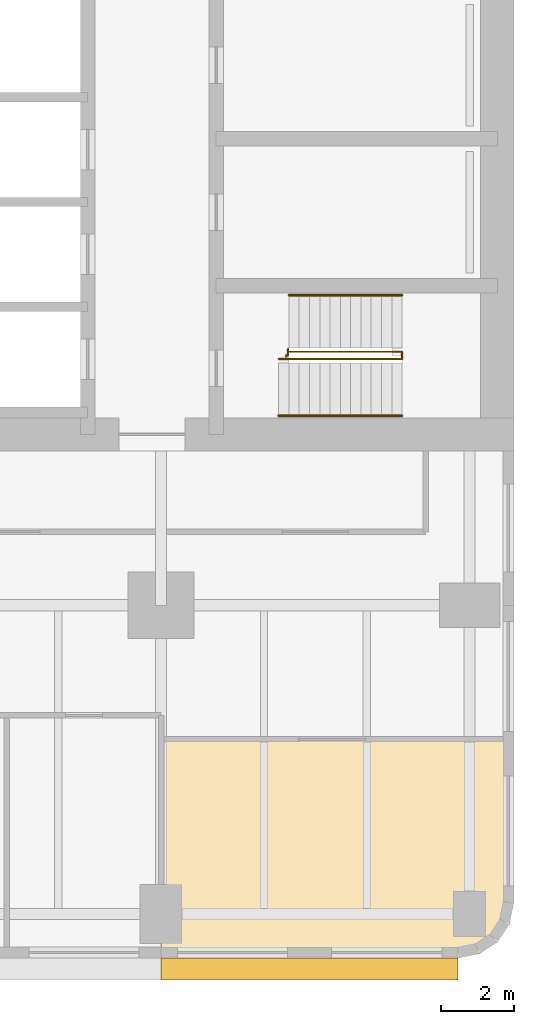
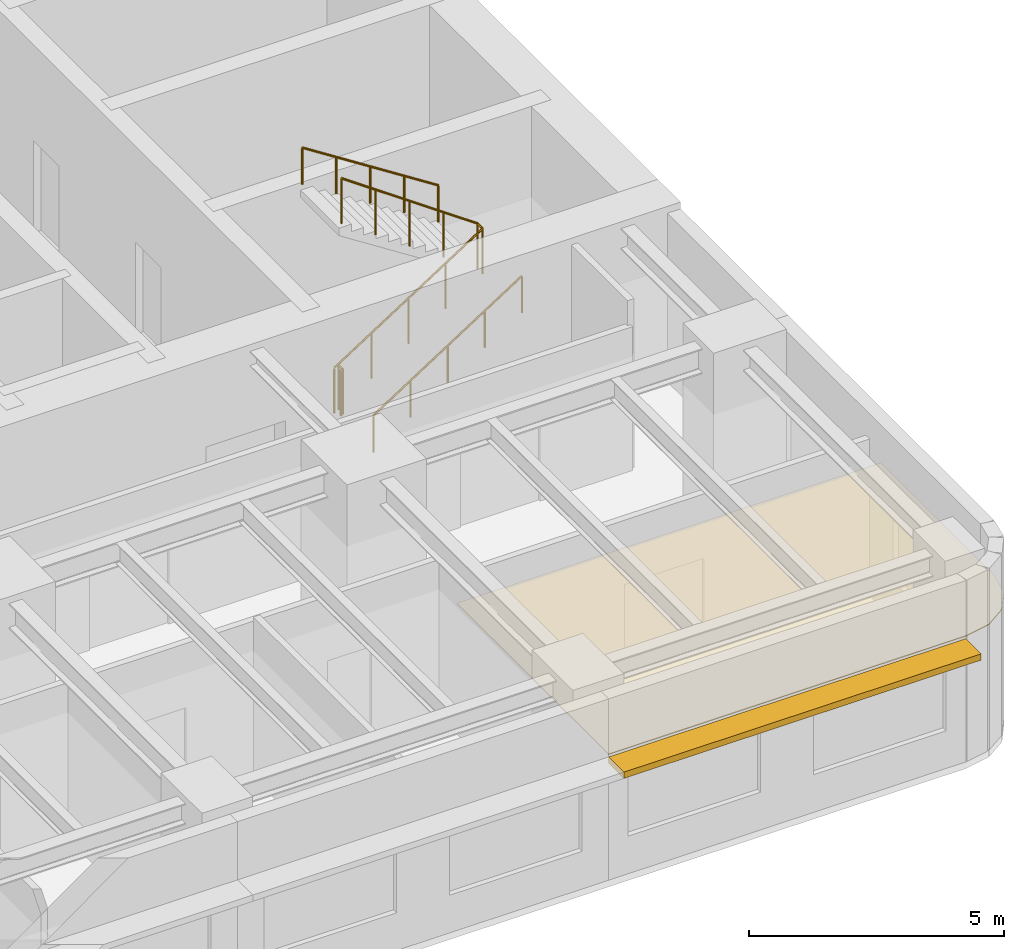
# One storey, part 11 of 14: 4 railings, 1 covering, 1 shading device.
"""IFC4 building model written with IfcOpenShell, lengths in metres."""

import ifcopenshell
import ifcopenshell.guid

model = None  # the IFC model being written
_history = None  # IfcOwnerHistory: only IFC2X3 demands one
_inside = {}  # id of a spatial element -> (the spatial element, [elements in it])
_under = {}  # id of a project, library or spatial element -> (it, [spatial elements below it])
_declared = {}  # id of a project -> (the project, [libraries it declares])
_typed = {}  # id of a type object -> (the type object, [elements of that type])
_made_of = {}  # id of a material, layer set ... -> (it, [elements and type objects made of it])


def new_model(schema):
    """Start an empty IFC model of exactly this schema.

    Asked for "IFC4X3", IfcOpenShell would pick the latest addendum, in which some entities
    have other attributes; the version numbers below select the first issue.
    IFC2X3 requires an IfcOwnerHistory on every rooted entity: one is made here for all.
    """
    global model, _history
    if schema == "IFC4X3":
        model = ifcopenshell.file(schema_version=(4, 3, 0, 0))
    else:
        model = ifcopenshell.file(schema=schema)
    _inside.clear()
    _under.clear()
    _declared.clear()
    _typed.clear()
    _made_of.clear()
    _history = None
    if model.schema == "IFC2X3":
        org = make("IfcOrganization", Name="unknown")
        user = make(
            "IfcPersonAndOrganization",
            ThePerson=make("IfcPerson", FamilyName="unknown"),
            TheOrganization=org,
        )
        app = make(
            "IfcApplication",
            ApplicationDeveloper=org,
            Version="unknown",
            ApplicationFullName="unknown",
            ApplicationIdentifier="unknown",
        )
        _history = make(
            "IfcOwnerHistory",
            OwningUser=user,
            OwningApplication=app,
            ChangeAction="ADDED",
            CreationDate=0,
        )
    return model


def make(cls, **values):
    """One entity of the class cls with the attributes given. An attribute that is None is left unset."""
    return model.create_entity(
        cls, **{name: value for name, value in values.items() if value is not None}
    )


def rooted(cls, **values):
    """An entity with a GlobalId (a new one), such as an element, a storey or a relation."""
    return make(cls, GlobalId=ifcopenshell.guid.new(), OwnerHistory=_history, **values)


def si_unit(unit_type, name, prefix=None):
    """IfcSIUnit, for example si_unit("LENGTHUNIT", "METRE", prefix="MILLI")."""
    return make("IfcSIUnit", UnitType=unit_type, Prefix=prefix, Name=name)


def assignment(units):
    """IfcUnitAssignment: the units of a project."""
    return None if units is None else make("IfcUnitAssignment", Units=units)


def point(xyz):
    """IfcCartesianPoint."""
    return None if xyz is None else make("IfcCartesianPoint", Coordinates=xyz)


def direction(xyz):
    """IfcDirection."""
    return None if xyz is None else make("IfcDirection", DirectionRatios=xyz)


def frame(location, z_axis=None, x_axis=None):
    """IfcAxis2Placement3D, a coordinate frame: its origin and axes. An axis left out is left unset."""
    return make(
        "IfcAxis2Placement3D",
        Location=point(location),
        Axis=direction(z_axis),
        RefDirection=direction(x_axis),
    )


def frame_2d(location, x_axis=None):
    """IfcAxis2Placement2D, a coordinate frame in the plane: its origin and x axis."""
    return make(
        "IfcAxis2Placement2D", Location=point(location), RefDirection=direction(x_axis)
    )


def origin():
    """The frame at (0, 0, 0) with its axes left unset."""
    return frame((0.0, 0.0, 0.0))


def origin_2d():
    """The frame at (0, 0) in the plane with its x axis left unset."""
    return frame_2d((0.0, 0.0))


def place(relative_to, where):
    """IfcLocalPlacement: puts the frame where relative to a parent placement (None: the world)."""
    return make(
        "IfcLocalPlacement", PlacementRelTo=relative_to, RelativePlacement=where
    )


def context(
    kind, dimensions, precision=None, world=None, true_north=None, identifier=None
):
    """IfcGeometricRepresentationContext, for example the 3D "Model" context."""
    return make(
        "IfcGeometricRepresentationContext",
        ContextIdentifier=identifier,
        ContextType=kind,
        CoordinateSpaceDimension=dimensions,
        Precision=precision,
        WorldCoordinateSystem=world,
        TrueNorth=true_north,
    )


def subcontext(parent, identifier, kind, view, scale=None):
    """IfcGeometricRepresentationSubContext, for example "Body" below "Model"."""
    return make(
        "IfcGeometricRepresentationSubContext",
        ContextIdentifier=identifier,
        ContextType=kind,
        ParentContext=parent,
        TargetScale=scale,
        TargetView=view,
    )


def project(units=None, contexts=None):
    """IfcProject with its units and contexts."""
    return rooted(
        "IfcProject",
        Name="project",
        RepresentationContexts=contexts,
        UnitsInContext=assignment(units),
    )


def spatial(cls, under=None, at=None, **own):
    """A site, building, storey or space (cls), placed at a placement, below another one or the project."""
    s = rooted(cls, ObjectPlacement=at, **own)
    if under is not None:
        _under.setdefault(under.id(), (under, []))[1].append(s)
    return s


def polyline(points):
    """IfcPolyline through the points."""
    return make("IfcPolyline", Points=[point(p) for p in points])


def profile(cls, at=None, kind="AREA", **sizes):
    """A parametric profile (cls). Its sizes go by their IFC names, for example OverallWidth=200.0."""
    return make(cls, ProfileType=kind, Position=at, **sizes)


def rectangle(**sizes):
    """IfcRectangleProfileDef."""
    return profile("IfcRectangleProfileDef", **sizes)


def circle(**sizes):
    """IfcCircleProfileDef."""
    return profile("IfcCircleProfileDef", **sizes)


def outline(outer, holes=None, kind="AREA"):
    """IfcArbitraryClosedProfileDef: a profile drawn as a closed curve; with holes, ...WithVoids."""
    if holes is None:
        return make("IfcArbitraryClosedProfileDef", ProfileType=kind, OuterCurve=outer)
    return make(
        "IfcArbitraryProfileDefWithVoids",
        ProfileType=kind,
        OuterCurve=outer,
        InnerCurves=holes,
    )


def extrude(swept, where, along, depth):
    """IfcExtrudedAreaSolid: the profile swept, set in the frame where, extruded along a direction by depth."""
    return make(
        "IfcExtrudedAreaSolid",
        SweptArea=swept,
        Position=where,
        ExtrudedDirection=direction(along),
        Depth=depth,
    )


def shape(context_of_items, identifier, shape_type, items):
    """IfcShapeRepresentation: the items that make up one representation, for example the "Body"."""
    return make(
        "IfcShapeRepresentation",
        ContextOfItems=context_of_items,
        RepresentationIdentifier=identifier,
        RepresentationType=shape_type,
        Items=items,
    )


def material(Name=None, Category=None):
    """IfcMaterial."""
    return make("IfcMaterial", Name=Name, Category=Category)


def layer(
    of_material, thickness, ventilated=None, Name=None, Category=None, Priority=None
):
    """IfcMaterialLayer: one layer of a wall or slab, of a material (None: an air gap)."""
    return make(
        "IfcMaterialLayer",
        Material=of_material,
        LayerThickness=thickness,
        IsVentilated=ventilated,
        Name=Name,
        Category=Category,
        Priority=Priority,
    )


def layer_set(layers, Name=None):
    """IfcMaterialLayerSet."""
    return make("IfcMaterialLayerSet", MaterialLayers=layers, LayerSetName=Name)


def made_of(thing, what):
    """Note that an element or type object is made of a material, layer set ...; save() writes the relation."""
    if what is not None:
        _made_of.setdefault(what.id(), (what, []))[1].append(thing)
    return thing


def type_object(cls, material=None, **own):
    """A type object (cls), such as IfcWallType, which elements share."""
    return made_of(rooted(cls, **own), material)


def element(
    cls,
    number,
    at=None,
    inside=None,
    cuts=None,
    type_object=None,
    material=None,
    context=None,
    identifier="Body",
    shape_type=None,
    held_by="IfcProductDefinitionShape",
    body=None,
    shapes=None,
    **own,
):
    """One element of the class cls, such as IfcWall. Its Tag is "e" and its number.

    at: its placement. inside: the storey or other place that contains it. cuts: it is an
    opening in that element (IfcRelVoidsElement). A single representation is given by context,
    identifier, shape_type and body (its items); several are given by shapes. held_by: the class
    of the entity that holds the representations. save() writes the other relations.
    """
    e = rooted(cls, Tag="e%d" % number, ObjectPlacement=at, **own)
    if body is not None:
        shapes = [shape(context, identifier, shape_type, body)]
    if shapes is not None:
        e.Representation = make(held_by, Representations=shapes)
    if inside is not None:
        _inside.setdefault(inside.id(), (inside, []))[1].append(e)
    if cuts is not None:
        rooted(
            "IfcRelVoidsElement", RelatingBuildingElement=cuts, RelatedOpeningElement=e
        )
    if type_object is not None:
        _typed.setdefault(type_object.id(), (type_object, []))[1].append(e)
    return made_of(e, material)


def aggregate(whole, parts):
    """IfcRelAggregates: a whole, such as a stair, and the parts it consists of."""
    return rooted("IfcRelAggregates", RelatingObject=whole, RelatedObjects=parts)


def save(model, path):
    """Write the relations noted so far, then the file.

    IfcRelAggregates (storeys below a building ...), IfcRelContainedInSpatialStructure (elements
    in a storey), IfcRelDefinesByType, IfcRelAssociatesMaterial and IfcRelDeclares: one each for
    every whole, place, type object, material and project.
    """
    for whole, parts in _under.values():
        aggregate(whole, parts)
    for where, things in _inside.values():
        rooted(
            "IfcRelContainedInSpatialStructure",
            RelatedElements=things,
            RelatingStructure=where,
        )
    for kind, things in _typed.values():
        rooted("IfcRelDefinesByType", RelatedObjects=things, RelatingType=kind)
    for what, things in _made_of.values():
        rooted("IfcRelAssociatesMaterial", RelatedObjects=things, RelatingMaterial=what)
    for by, libraries in _declared.values():
        rooted("IfcRelDeclares", RelatingContext=by, RelatedDefinitions=libraries)
    model.write(path)


model = new_model("IFC4")

# Units and contexts
model_context = context("Model", 3, precision=1e-05, world=origin(), true_north=direction((0.0, 1.0)))
body_context = subcontext(model_context, "Body", "Model", "MODEL_VIEW")
ifc_project = project(units=[si_unit("LENGTHUNIT", "METRE"), si_unit("AREAUNIT", "SQUARE_METRE"), si_unit("VOLUMEUNIT", "CUBIC_METRE"), si_unit("PLANEANGLEUNIT", "RADIAN"), si_unit("MASSUNIT", "GRAM", prefix="KILO")], contexts=[model_context])

# Site, building, storey
site_placement = place(None, origin())
site = spatial("IfcSite", under=ifc_project, at=site_placement, CompositionType="ELEMENT")
building_placement = place(site_placement, origin())
building = spatial("IfcBuilding", under=site, at=building_placement, Name="Claustro Exchange Tower", CompositionType="ELEMENT")
storey_placement = place(building_placement, frame((0.0, 0.0, 32.39990234375)))
storey = spatial("IfcBuildingStorey", under=building, at=storey_placement, Name="L07", CompositionType="ELEMENT", Elevation=32.39990234375)

# Covering
ifc_material_1 = material(Name="Gypsum board ceiling", Category="gypsum board")
ifc_layer_1 = layer(ifc_material_1, 0.02490234375)
ifc_layer_set_1 = layer_set([ifc_layer_1], Name="Gypsum board ceiling")
covering_type = type_object("IfcCoveringType", Name="CL2 plasterboard ceiling", PredefinedType="CEILING", material=ifc_layer_set_1)
covering_placement = place(storey_placement, frame((0.0, 0.0, 3.0)))
element("IfcCovering", 1, at=covering_placement, inside=storey, type_object=covering_type, Name="Ceiling CL2 L07-02", PredefinedType="CEILING", context=body_context, shape_type="SweptSolid", body=[
    extrude(outline(polyline([(51.60009765625, 0.300048828125), (51.60009765625, 4.75), (42.0, 4.75), (42.0, -1.199951171875), (50.10009765625, -1.199951171875), (50.674072265625, -1.085693359375), (51.16064453125, -0.7607421875), (51.48583984375, -0.27392578125), (51.60009765625, 0.300048828125)])), origin(), (0.0, 0.0, 1.0), 0.025146484375),
])

# Railings
ifc_material_2 = material(Name="Steel balustrade, painted", Category="steel")
railing_type_1 = type_object("IfcRailingType", Name="GR2 1100 steel stair guard", PredefinedType="GUARDRAIL", material=ifc_material_2)
railing_1_placement = place(storey_placement, frame((45.199951171875, 15.10009765625, 0.18017578125)))
element("IfcRailing", 2, at=railing_1_placement, inside=storey, type_object=railing_type_1, Name="Stair well guard GR2 stair STEA L07", PredefinedType="GUARDRAIL", context=body_context, shape_type="SweptSolid", body=[
    extrude(circle(Radius=0.02392578125, at=origin_2d()), frame((0.0, 0.0, 1.076171875), z_axis=(0.84119634759, 0.0, 0.540729789082), x_axis=(0.0, 1.0, 0.0)), (0.0, 0.0, 1.0), 3.994384765625),
    extrude(circle(Radius=0.02392578125, at=origin_2d()), frame((3.360107421875, 0.0, 3.23583984375), z_axis=(0.0, 1.0, 0.0), x_axis=(-1.0, 0.0, 0.0)), (0.0, 0.0, 1.0), 0.199951171875),
    extrude(circle(Radius=0.02392578125, at=origin_2d()), frame((3.360107421875, 0.199951171875, 3.23583984375), z_axis=(-0.8187499073, 0.0, 0.574150319426), x_axis=(0.0, -1.0, 0.0)), (0.0, 0.0, 1.0), 3.761962890625),
    extrude(circle(Radius=0.02099609375, at=origin_2d()), origin(), (0.0, 0.0, 1.0), 1.052001953125),
    extrude(circle(Radius=0.02099609375, at=origin_2d()), frame((0.840087890625, 0.0, 0.5400390625)), (0.0, 0.0, 1.0), 1.052001953125),
    extrude(circle(Radius=0.02099609375, at=origin_2d()), frame((1.68017578125, 0.0, 1.080078125)), (0.0, 0.0, 1.0), 1.052001953125),
    extrude(circle(Radius=0.02099609375, at=origin_2d()), frame((2.52001953125, 0.0, 1.619873046875)), (0.0, 0.0, 1.0), 1.052001953125),
    extrude(circle(Radius=0.02099609375, at=origin_2d()), frame((3.360107421875, 0.0, 2.159912109375)), (0.0, 0.0, 1.0), 1.052001953125),
    extrude(circle(Radius=0.02099609375, at=origin_2d()), frame((3.360107421875, 0.199951171875, 2.159912109375)), (0.0, 0.0, 1.0), 1.052001953125),
    extrude(circle(Radius=0.02099609375, at=origin_2d()), frame((2.590087890625, 0.199951171875, 2.699951171875)), (0.0, 0.0, 1.0), 1.052001953125),
    extrude(circle(Radius=0.02099609375, at=origin_2d()), frame((1.820068359375, 0.199951171875, 3.23974609375)), (0.0, 0.0, 1.0), 1.052001953125),
    extrude(circle(Radius=0.02099609375, at=origin_2d()), frame((1.050048828125, 0.199951171875, 3.77978515625)), (0.0, 0.0, 1.0), 1.052001953125),
    extrude(circle(Radius=0.02099609375, at=origin_2d()), frame((0.280029296875, 0.199951171875, 4.31982421875)), (0.0, 0.0, 1.0), 1.052001953125),
])
railing_2_placement = place(storey_placement, frame((45.39990234375, 15.169921875, 0.0)))
element("IfcRailing", 3, at=railing_2_placement, inside=storey, type_object=railing_type_1, Name="Stair guard GR2 STEA L07", PredefinedType="GUARDRAIL", context=body_context, shape_type="SweptSolid", body=[
    extrude(circle(Radius=0.02392578125, at=origin_2d()), frame((0.0, 0.0, 1.076171875), z_axis=(0.0, 1.0, 0.0), x_axis=(-1.0, 0.0, 0.0)), (0.0, 0.0, 1.0), 0.030029296875),
    extrude(circle(Radius=0.02392578125, at=origin_2d()), frame((0.0, 0.030029296875, 1.076171875), z_axis=(1.0, 0.0, 0.0), x_axis=(0.0, 1.0, 0.0)), (0.0, 0.0, 1.0), 0.05517578125),
    extrude(circle(Radius=0.02392578125, at=origin_2d()), frame((0.05517578125, 0.030029296875, 1.076171875), z_axis=(0.0, 1.0, 0.0), x_axis=(-1.0, 0.0, 0.0)), (0.0, 0.0, 1.0), 0.179931640625),
    extrude(circle(Radius=0.02099609375, at=origin_2d()), origin(), (0.0, 0.0, 1.0), 1.052001953125),
    extrude(circle(Radius=0.02099609375, at=origin_2d()), frame((0.0, 0.030029296875, 0.0)), (0.0, 0.0, 1.0), 1.052001953125),
    extrude(circle(Radius=0.02099609375, at=origin_2d()), frame((0.05517578125, 0.030029296875, 0.0)), (0.0, 0.0, 1.0), 1.052001953125),
    extrude(circle(Radius=0.02099609375, at=origin_2d()), frame((0.05517578125, 0.2099609375, 0.0)), (0.0, 0.0, 1.0), 1.052001953125),
])
ifc_material_3 = material(Name="Stainless steel tube", Category="steel")
railing_type_2 = type_object("IfcRailingType", Name="HR1 900 stair handrail", PredefinedType="HANDRAIL", material=ifc_material_3)
railing_3_placement = place(storey_placement, frame((45.199951171875, 13.56005859375, 0.18017578125)))
element("IfcRailing", 4, at=railing_3_placement, inside=storey, type_object=railing_type_2, Name="Handrail HR1 stair STEA L07", PredefinedType="HANDRAIL", context=body_context, shape_type="SweptSolid", body=[
    extrude(circle(Radius=0.02392578125, at=origin_2d()), frame((0.0, 0.0, 0.8759765625), z_axis=(0.84119634759, 0.0, 0.540729789082), x_axis=(0.0, 1.0, 0.0)), (0.0, 0.0, 1.0), 3.994384765625),
    extrude(circle(Radius=0.02099609375, at=origin_2d()), origin(), (0.0, 0.0, 1.0), 0.851806640625),
    extrude(circle(Radius=0.02099609375, at=origin_2d()), frame((0.840087890625, 0.0, 0.5400390625)), (0.0, 0.0, 1.0), 0.851806640625),
    extrude(circle(Radius=0.02099609375, at=origin_2d()), frame((1.68017578125, 0.0, 1.080078125)), (0.0, 0.0, 1.0), 0.851806640625),
    extrude(circle(Radius=0.02099609375, at=origin_2d()), frame((2.52001953125, 0.0, 1.619873046875)), (0.0, 0.0, 1.0), 0.851806640625),
    extrude(circle(Radius=0.02099609375, at=origin_2d()), frame((3.360107421875, 0.0, 2.159912109375)), (0.0, 0.0, 1.0), 0.851806640625),
])
railing_4_placement = place(storey_placement, frame((48.56005859375, 16.840087890625, 2.52001953125)))
element("IfcRailing", 5, at=railing_4_placement, inside=storey, type_object=railing_type_2, Name="Handrail HR1 stair STEA L07", PredefinedType="HANDRAIL", context=body_context, shape_type="SweptSolid", body=[
    extrude(circle(Radius=0.02392578125, at=origin_2d()), frame((0.0, 0.0, 0.8759765625), z_axis=(-0.84118714077, 0.0, 0.540744111576), x_axis=(0.0, -1.0, 0.0)), (0.0, 0.0, 1.0), 3.66162109375),
    extrude(circle(Radius=0.02099609375, at=origin_2d()), origin(), (0.0, 0.0, 1.0), 0.851806640625),
    extrude(circle(Radius=0.02099609375, at=origin_2d()), frame((-0.77001953125, 0.0, 0.4951171875)), (0.0, 0.0, 1.0), 0.851806640625),
    extrude(circle(Radius=0.02099609375, at=origin_2d()), frame((-1.5400390625, 0.0, 0.989990234375)), (0.0, 0.0, 1.0), 0.851806640625),
    extrude(circle(Radius=0.02099609375, at=origin_2d()), frame((-2.31005859375, 0.0, 1.48486328125)), (0.0, 0.0, 1.0), 0.851806640625),
    extrude(circle(Radius=0.02099609375, at=origin_2d()), frame((-3.080078125, 0.0, 1.97998046875)), (0.0, 0.0, 1.0), 0.851806640625),
])

# Shading device
ifc_material_4 = material(Name="Concrete HA-40 (C40/50), precast, white cement, acid-etched", Category="concrete")
ifc_layer_2 = layer(ifc_material_4, 0.14990234375)
ifc_layer_set_2 = layer_set([ifc_layer_2], Name="Concrete HA-40 (C40/50), precast, white cement, acid-etched")
shading_device_type = type_object("IfcShadingDeviceType", Name="SS1 600 precast concrete SUNSHADE", PredefinedType="SHUTTER", material=ifc_layer_set_2)
shading_device_placement = place(storey_placement, frame((46.04248046875, -1.5, 2.800048828125), z_axis=(0.0, 0.0, 1.0), x_axis=(-1.0, 0.0, 0.0)))
element("IfcShadingDevice", 6, at=shading_device_placement, inside=storey, type_object=shading_device_type, Name="Precast SUNSHADE SS1 L07", PredefinedType="SHUTTER", context=body_context, shape_type="SweptSolid", body=[
    extrude(rectangle(XDim=8.085205078125, YDim=0.60009765625, at=origin_2d()), origin(), (0.0, 0.0, 1.0), 0.14990234375),
])

save(model, "model.ifc")
